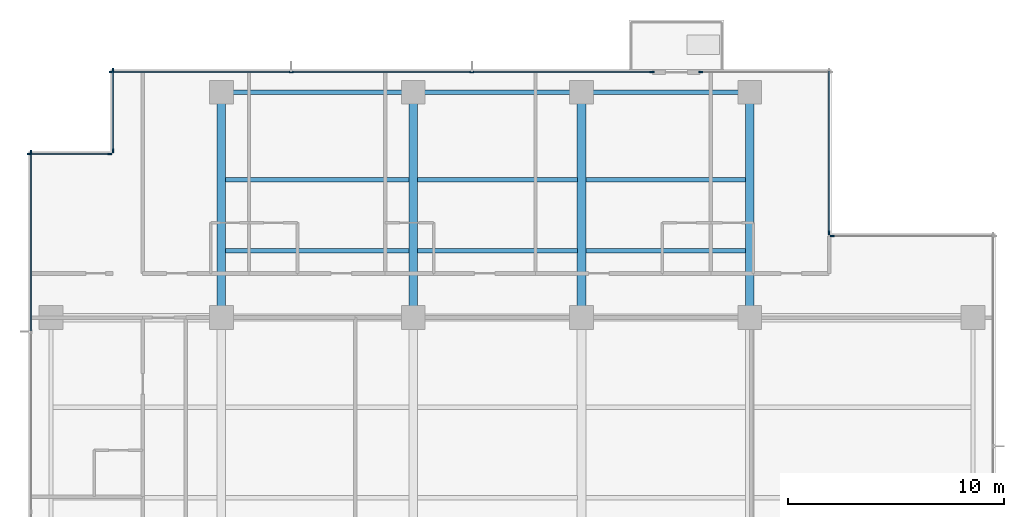
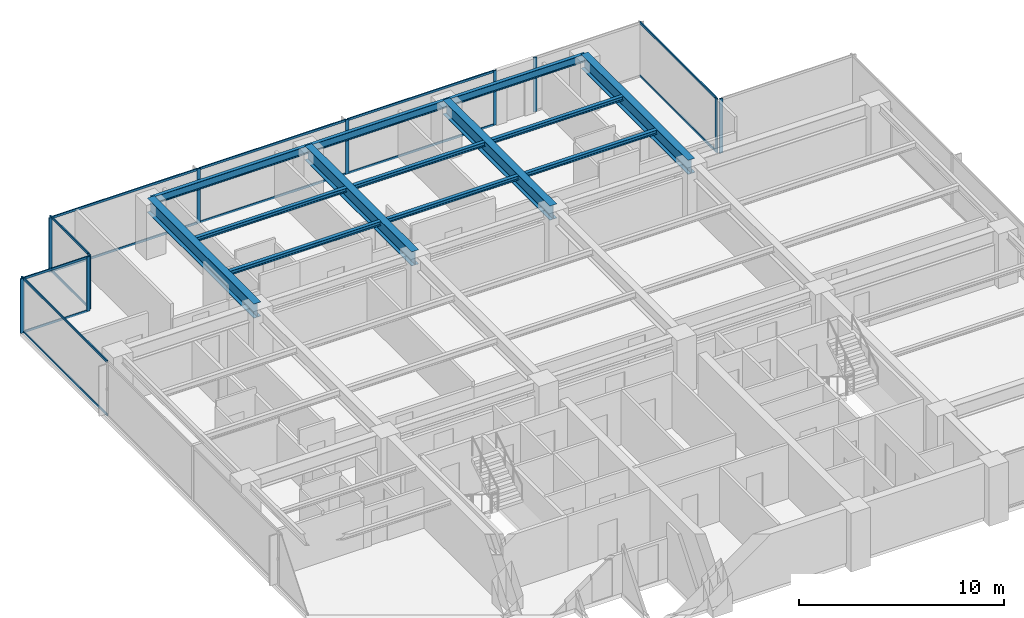
# One storey, part 4 of 15: 26 members, 13 beams, 7 elements without a shape of their own.
"""IFC4 building model written with IfcOpenShell, lengths in metres."""

from ifc_helpers import new_model, si_unit, direction, frame, origin, origin_2d, place, context, subcontext, project, spatial, rectangle, i_section, extrude, material, layer, layer_set, material_profile, profile_set, type_object, element, aggregate, save


model = new_model("IFC4")

# Units and contexts
model_context = context("Model", 3, precision=1e-05, world=origin(), true_north=direction((0.0, 1.0)))
body_context = subcontext(model_context, "Body", "Model", "MODEL_VIEW")
ifc_project = project(units=[si_unit("LENGTHUNIT", "METRE"), si_unit("AREAUNIT", "SQUARE_METRE"), si_unit("VOLUMEUNIT", "CUBIC_METRE"), si_unit("PLANEANGLEUNIT", "RADIAN"), si_unit("MASSUNIT", "GRAM", prefix="KILO")], contexts=[model_context])

# Site, building, storey
site_placement = place(None, origin())
site = spatial("IfcSite", under=ifc_project, at=site_placement, CompositionType="ELEMENT")
building_placement = place(site_placement, origin())
building = spatial("IfcBuilding", under=site, at=building_placement, Name="Qalmaran Belvedere Hotel", CompositionType="ELEMENT")
storey_placement = place(building_placement, frame((0.0, 0.0, 173.60009765625)))
storey = spatial("IfcBuildingStorey", under=building, at=storey_placement, Name="L44", CompositionType="ELEMENT", Elevation=173.60009765625)

# Beams
ifc_material_1 = material(Name="Steel S355JR", Category="steel")
ifc_material_profile_1 = material_profile(ifc_material_1, i_section(OverallWidth=0.201904296875, OverallDepth=0.2470703125, WebThickness=0.00732421875, FlangeThickness=0.010986328125, FilletRadius=0.011962890625, at=origin_2d()), Name="W250X49")
ifc_profile_set_1 = profile_set([ifc_material_profile_1], Name="Steel S355JR")
beam_type_1 = type_object("IfcBeamType", Name="BM-JST-W250X49", PredefinedType="JOIST", material=ifc_profile_set_1)
beam_1_placement = place(storey_placement, frame((20.498046875, 36.10009765625, 3.12646484375), z_axis=(1.0, 0.0, 0.0), x_axis=(0.0, 1.0, 0.0)))
element("IfcBeam", 1, at=beam_1_placement, inside=storey, type_object=beam_type_1, Name="L44 North Floor Joist 042", PredefinedType="JOIST", context=body_context, shape_type="SweptSolid", body=[
    extrude(i_section(OverallWidth=0.201904296875, OverallDepth=0.2470703125, WebThickness=0.00732421875, FlangeThickness=0.010986328125, FilletRadius=0.011962890625, at=origin_2d()), origin(), (0.0, 0.0, 1.0), 8.50390625),
])
for number, where, z_axis, x_axis, name in (
    (2, (29.39794921875, 36.10009765625, 3.12646484375), (1.0, 0.0, 0.0), (0.0, 1.0, 0.0), "L44 North Floor Joist 043"),
    (3, (37.197998046875, 36.10009765625, 3.12646484375), (1.0, 0.0, 0.0), (0.0, 1.0, 0.0), "L44 North Floor Joist 044"),
):
    element("IfcBeam", number, at=place(storey_placement, frame(where, z_axis=z_axis, x_axis=x_axis)), inside=storey, type_object=beam_type_1, Name=name, PredefinedType="JOIST", context=body_context, shape_type="SweptSolid", body=[
        extrude(i_section(OverallWidth=0.201904296875, OverallDepth=0.2470703125, WebThickness=0.00732421875, FlangeThickness=0.010986328125, FilletRadius=0.011962890625, at=origin_2d()), origin(), (0.0, 0.0, 1.0), 7.404052734375),
    ])
beam_2_placement = place(storey_placement, frame((20.498046875, 39.39990234375, 3.12646484375), z_axis=(1.0, 0.0, 0.0), x_axis=(0.0, 1.0, 0.0)))
element("IfcBeam", 4, at=beam_2_placement, inside=storey, type_object=beam_type_1, Name="L44 North Floor Joist 045", PredefinedType="JOIST", context=body_context, shape_type="SweptSolid", body=[
    extrude(i_section(OverallWidth=0.201904296875, OverallDepth=0.2470703125, WebThickness=0.00732421875, FlangeThickness=0.010986328125, FilletRadius=0.011962890625, at=origin_2d()), origin(), (0.0, 0.0, 1.0), 8.50390625),
])
for number, where, z_axis, x_axis, name in (
    (5, (29.39794921875, 39.39990234375, 3.12646484375), (1.0, 0.0, 0.0), (0.0, 1.0, 0.0), "L44 North Floor Joist 046"),
    (6, (37.197998046875, 39.39990234375, 3.12646484375), (1.0, 0.0, 0.0), (0.0, 1.0, 0.0), "L44 North Floor Joist 047"),
):
    element("IfcBeam", number, at=place(storey_placement, frame(where, z_axis=z_axis, x_axis=x_axis)), inside=storey, type_object=beam_type_1, Name=name, PredefinedType="JOIST", context=body_context, shape_type="SweptSolid", body=[
        extrude(i_section(OverallWidth=0.201904296875, OverallDepth=0.2470703125, WebThickness=0.00732421875, FlangeThickness=0.010986328125, FilletRadius=0.011962890625, at=origin_2d()), origin(), (0.0, 0.0, 1.0), 7.404052734375),
    ])
ifc_material_profile_2 = material_profile(ifc_material_1, i_section(OverallWidth=0.39990234375, OverallDepth=0.85498046875, WebThickness=0.018310546875, FlangeThickness=0.029296875, FilletRadius=0.02392578125, at=origin_2d()), Name="W840X299")
ifc_profile_set_2 = profile_set([ifc_material_profile_2], Name="Steel S355JR")
beam_type_2 = type_object("IfcBeamType", Name="BM-PG3-W840X299", PredefinedType="USERDEFINED", material=ifc_profile_set_2)
for number, where, z_axis, x_axis, name in (
    (7, (20.300048828125, 33.0, 2.822509765625), (0.0, 1.0, 0.0), (-1.0, 0.0, 0.0), "L44 North Bay Girder 15"),
    (8, (29.199951171875, 33.0, 2.822509765625), (0.0, 1.0, 0.0), (-1.0, 0.0, 0.0), "L44 North Bay Girder 17"),
    (9, (37.0, 33.0, 2.822509765625), (0.0, 1.0, 0.0), (-1.0, 0.0, 0.0), "L44 North Bay Girder 19"),
    (10, (44.800048828125, 33.0, 2.822509765625), (0.0, 1.0, 0.0), (-1.0, 0.0, 0.0), "L44 North Bay Girder 21"),
):
    element("IfcBeam", number, at=place(storey_placement, frame(where, z_axis=z_axis, x_axis=x_axis)), inside=storey, type_object=beam_type_2, Name=name, ObjectType="GIRDER", PredefinedType="USERDEFINED", context=body_context, shape_type="SweptSolid", body=[
        extrude(i_section(OverallWidth=0.39990234375, OverallDepth=0.85498046875, WebThickness=0.018310546875, FlangeThickness=0.029296875, FilletRadius=0.02392578125, at=origin_2d()), origin(), (0.0, 0.0, 1.0), 10.449951171875),
    ])
ifc_material_profile_3 = material_profile(ifc_material_1, i_section(OverallWidth=0.19189453125, OverallDepth=0.462890625, WebThickness=0.010498046875, FlangeThickness=0.017578125, FilletRadius=0.01611328125, at=origin_2d()), Name="W460X89")
ifc_profile_set_3 = profile_set([ifc_material_profile_3], Name="Steel S355JR")
beam_type_3 = type_object("IfcBeamType", Name="BM-SP2-W460X89", PredefinedType="SPANDREL", material=ifc_profile_set_3)
beam_3_placement = place(storey_placement, frame((20.300048828125, 43.449951171875, 3.018310546875), z_axis=(1.0, 0.0, 0.0), x_axis=(0.0, 1.0, 0.0)))
element("IfcBeam", 11, at=beam_3_placement, inside=storey, type_object=beam_type_3, Name="L44 Perimeter Spandrel 05", PredefinedType="SPANDREL", context=body_context, shape_type="SweptSolid", body=[
    extrude(i_section(OverallWidth=0.19189453125, OverallDepth=0.462890625, WebThickness=0.010498046875, FlangeThickness=0.017578125, FilletRadius=0.01611328125, at=origin_2d()), origin(), (0.0, 0.0, 1.0), 8.89990234375),
])
for number, where, z_axis, x_axis, name in (
    (12, (29.199951171875, 43.449951171875, 3.018310546875), (1.0, 0.0, 0.0), (0.0, 1.0, 0.0), "L44 Perimeter Spandrel 06"),
    (13, (37.0, 43.449951171875, 3.018310546875), (1.0, 0.0, 0.0), (0.0, 1.0, 0.0), "L44 Perimeter Spandrel 07"),
):
    element("IfcBeam", number, at=place(storey_placement, frame(where, z_axis=z_axis, x_axis=x_axis)), inside=storey, type_object=beam_type_3, Name=name, PredefinedType="SPANDREL", context=body_context, shape_type="SweptSolid", body=[
        extrude(i_section(OverallWidth=0.19189453125, OverallDepth=0.462890625, WebThickness=0.010498046875, FlangeThickness=0.017578125, FilletRadius=0.01611328125, at=origin_2d()), origin(), (0.0, 0.0, 1.0), 7.800048828125),
    ])

# Curtain wall, member
ifc_material_2 = material(Name="Anodised Bronze Aluminium", Category="aluminium")
ifc_layer = layer(ifc_material_2, 0.195068359375, Name="Anodised Bronze Aluminium")
ifc_layer_set = layer_set([ifc_layer], Name="Anodised Bronze Aluminium")
curtain_wall_type = type_object("IfcCurtainWallType", Name="CW4-TOWER-HIGHMID", PredefinedType="NOTDEFINED", material=ifc_layer_set)
curtain_wall_1_placement = place(storey_placement, origin())
curtain_wall_1 = element("IfcCurtainWall", 14, at=curtain_wall_1_placement, inside=storey, type_object=curtain_wall_type, Name="L44 Curtain Wall CW4", PredefinedType="NOTDEFINED")
ifc_material_profile_4 = material_profile(ifc_material_2, rectangle(XDim=0.070068359375, YDim=0.18994140625, at=origin_2d()), Name="CWM70X190")
ifc_profile_set_4 = profile_set([ifc_material_profile_4], Name="Anodised Bronze Aluminium")
member_type_1 = type_object("IfcMemberType", Name="CWM-70X190", PredefinedType="MULLION", material=ifc_profile_set_4)
member_1_placement = place(storey_placement, frame((48.635009765625, 36.780029296875, 0.0), z_axis=(0.0, 0.0, 1.0), x_axis=(0.0, -1.0, 0.0)))
member_1 = element("IfcMember", 15, at=member_1_placement, type_object=member_type_1, Name="CW4 mullion 2", PredefinedType="MULLION", context=body_context, shape_type="SweptSolid", body=[
    extrude(rectangle(XDim=0.070068359375, YDim=0.18994140625, at=origin_2d()), origin(), (0.0, 0.0, 1.0), 3.25),
])
aggregate(curtain_wall_1, [member_1])

curtain_wall_2_placement = place(storey_placement, origin())
curtain_wall_2 = element("IfcCurtainWall", 16, at=curtain_wall_2_placement, inside=storey, type_object=curtain_wall_type, Name="L44 Curtain Wall CW4", PredefinedType="NOTDEFINED")
member_2_placement = place(storey_placement, frame((48.47998046875, 36.93505859375, 0.0), z_axis=(0.0, 0.0, 1.0), x_axis=(-1.0, 0.0, 0.0)))
member_2 = element("IfcMember", 17, at=member_2_placement, type_object=member_type_1, Name="CW4 mullion 1", PredefinedType="MULLION", context=body_context, shape_type="SweptSolid", body=[
    extrude(rectangle(XDim=0.070068359375, YDim=0.18994140625, at=origin_2d()), origin(), (0.0, 0.0, 1.0), 3.25),
])

# Curtain wall, members
curtain_wall_3_placement = place(storey_placement, origin())
curtain_wall_3 = element("IfcCurtainWall", 18, at=curtain_wall_3_placement, inside=storey, type_object=curtain_wall_type, Name="L44 Curtain Wall CW4", PredefinedType="NOTDEFINED")
member_3_placement = place(storey_placement, frame((40.264892578125, 44.3798828125, 0.0), z_axis=(0.0, 0.0, 1.0), x_axis=(0.0, -1.0, 0.0)))
member_3 = element("IfcMember", 19, at=member_3_placement, type_object=member_type_1, Name="CW4 mullion 1", PredefinedType="MULLION", context=body_context, shape_type="SweptSolid", body=[
    extrude(rectangle(XDim=0.070068359375, YDim=0.18994140625, at=origin_2d()), origin(), (0.0, 0.0, 1.0), 3.25),
])
member_4_placement = place(storey_placement, frame((31.916748046875, 44.3798828125, 0.0), z_axis=(0.0, 0.0, 1.0), x_axis=(0.0, -1.0, 0.0)))
member_4 = element("IfcMember", 20, at=member_4_placement, type_object=member_type_1, Name="CW4 mullion 2", PredefinedType="MULLION", context=body_context, shape_type="SweptSolid", body=[
    extrude(rectangle(XDim=0.070068359375, YDim=0.18994140625, at=origin_2d()), origin(), (0.0, 0.0, 1.0), 3.25),
])
member_5_placement = place(storey_placement, frame((23.533447265625, 44.3798828125, 0.0), z_axis=(0.0, 0.0, 1.0), x_axis=(0.0, -1.0, 0.0)))
member_5 = element("IfcMember", 21, at=member_5_placement, type_object=member_type_1, Name="CW4 mullion 3", PredefinedType="MULLION", context=body_context, shape_type="SweptSolid", body=[
    extrude(rectangle(XDim=0.070068359375, YDim=0.18994140625, at=origin_2d()), origin(), (0.0, 0.0, 1.0), 3.25),
])
member_6_placement = place(storey_placement, frame((15.18505859375, 44.3798828125, 0.0), z_axis=(0.0, 0.0, 1.0), x_axis=(0.0, -1.0, 0.0)))
member_6 = element("IfcMember", 22, at=member_6_placement, type_object=member_type_1, Name="CW4 mullion 4", PredefinedType="MULLION", context=body_context, shape_type="SweptSolid", body=[
    extrude(rectangle(XDim=0.070068359375, YDim=0.18994140625, at=origin_2d()), origin(), (0.0, 0.0, 1.0), 3.25),
])

# Curtain wall, member
curtain_wall_4_placement = place(storey_placement, origin())
curtain_wall_4 = element("IfcCurtainWall", 23, at=curtain_wall_4_placement, inside=storey, type_object=curtain_wall_type, Name="L44 Curtain Wall CW4", PredefinedType="NOTDEFINED")
member_7_placement = place(storey_placement, frame((42.534912109375, 44.3798828125, 0.0), z_axis=(0.0, 0.0, 1.0), x_axis=(0.0, -1.0, 0.0)))
member_7 = element("IfcMember", 24, at=member_7_placement, type_object=member_type_1, Name="CW4 mullion 2", PredefinedType="MULLION", context=body_context, shape_type="SweptSolid", body=[
    extrude(rectangle(XDim=0.070068359375, YDim=0.18994140625, at=origin_2d()), origin(), (0.0, 0.0, 1.0), 3.25),
])
aggregate(curtain_wall_4, [member_7])

# Curtain wall, members
curtain_wall_5_placement = place(storey_placement, origin())
curtain_wall_5 = element("IfcCurtainWall", 25, at=curtain_wall_5_placement, inside=storey, type_object=curtain_wall_type, Name="L44 Curtain Wall CW4", PredefinedType="NOTDEFINED")
member_8_placement = place(storey_placement, frame((15.27001953125, 44.465087890625, 0.0), z_axis=(0.0, 0.0, 1.0), x_axis=(1.0, 0.0, 0.0)))
member_8 = element("IfcMember", 26, at=member_8_placement, type_object=member_type_1, Name="CW4 mullion 1", PredefinedType="MULLION", context=body_context, shape_type="SweptSolid", body=[
    extrude(rectangle(XDim=0.070068359375, YDim=0.18994140625, at=origin_2d()), origin(), (0.0, 0.0, 1.0), 3.25),
])
member_9_placement = place(storey_placement, frame((15.27001953125, 40.735107421875, 0.0), z_axis=(0.0, 0.0, 1.0), x_axis=(1.0, 0.0, 0.0)))
member_9 = element("IfcMember", 27, at=member_9_placement, type_object=member_type_1, Name="CW4 mullion 2", PredefinedType="MULLION", context=body_context, shape_type="SweptSolid", body=[
    extrude(rectangle(XDim=0.070068359375, YDim=0.18994140625, at=origin_2d()), origin(), (0.0, 0.0, 1.0), 3.25),
])

curtain_wall_6_placement = place(storey_placement, origin())
curtain_wall_6 = element("IfcCurtainWall", 28, at=curtain_wall_6_placement, inside=storey, type_object=curtain_wall_type, Name="L44 Curtain Wall CW4", PredefinedType="NOTDEFINED")
member_10_placement = place(storey_placement, frame((15.114990234375, 40.580078125, 0.0), z_axis=(0.0, 0.0, 1.0), x_axis=(0.0, -1.0, 0.0)))
member_10 = element("IfcMember", 29, at=member_10_placement, type_object=member_type_1, Name="CW4 mullion 1", PredefinedType="MULLION", context=body_context, shape_type="SweptSolid", body=[
    extrude(rectangle(XDim=0.070068359375, YDim=0.18994140625, at=origin_2d()), origin(), (0.0, 0.0, 1.0), 3.25),
])
member_11_placement = place(storey_placement, frame((11.385009765625, 40.580078125, 0.0), z_axis=(0.0, 0.0, 1.0), x_axis=(0.0, -1.0, 0.0)))
member_11 = element("IfcMember", 30, at=member_11_placement, type_object=member_type_1, Name="CW4 mullion 2", PredefinedType="MULLION", context=body_context, shape_type="SweptSolid", body=[
    extrude(rectangle(XDim=0.070068359375, YDim=0.18994140625, at=origin_2d()), origin(), (0.0, 0.0, 1.0), 3.25),
])

# Curtain wall, member
curtain_wall_7_placement = place(storey_placement, origin())
curtain_wall_7 = element("IfcCurtainWall", 31, at=curtain_wall_7_placement, inside=storey, type_object=curtain_wall_type, Name="L44 Curtain Wall CW4", PredefinedType="NOTDEFINED")
member_12_placement = place(storey_placement, frame((11.469970703125, 40.6650390625, 0.0), z_axis=(0.0, 0.0, 1.0), x_axis=(1.0, 0.0, 0.0)))
member_12 = element("IfcMember", 32, at=member_12_placement, type_object=member_type_1, Name="CW4 mullion 1", PredefinedType="MULLION", context=body_context, shape_type="SweptSolid", body=[
    extrude(rectangle(XDim=0.070068359375, YDim=0.18994140625, at=origin_2d()), origin(), (0.0, 0.0, 1.0), 3.25),
])

# Member
ifc_material_profile_5 = material_profile(ifc_material_2, rectangle(XDim=0.06494140625, YDim=0.1298828125, at=origin_2d()), Name="CWT65X130")
ifc_profile_set_5 = profile_set([ifc_material_profile_5], Name="Anodised Bronze Aluminium")
member_type_2 = type_object("IfcMemberType", Name="CWT-65X130", PredefinedType="USERDEFINED", material=ifc_profile_set_5)
member_13_placement = place(storey_placement, frame((48.47998046875, 36.969970703125, 0.032470703125), z_axis=(0.0, 1.0, 0.0), x_axis=(-1.0, 0.0, 0.0)))
member_13 = element("IfcMember", 33, at=member_13_placement, type_object=member_type_2, Name="CW4 transom 1.1", ObjectType="TRANSOM", PredefinedType="USERDEFINED", context=body_context, shape_type="SweptSolid", body=[
    extrude(rectangle(XDim=0.06494140625, YDim=0.1298828125, at=origin_2d()), origin(), (0.0, 0.0, 1.0), 7.4599609375),
])

member_14_placement = place(storey_placement, frame((48.47998046875, 36.969970703125, 3.21728515625), z_axis=(0.0, 1.0, 0.0), x_axis=(-1.0, 0.0, 0.0)))
member_14 = element("IfcMember", 34, at=member_14_placement, type_object=member_type_2, Name="CW4 transom 1.2", ObjectType="TRANSOM", PredefinedType="USERDEFINED", context=body_context, shape_type="SweptSolid", body=[
    extrude(rectangle(XDim=0.06494140625, YDim=0.1298828125, at=origin_2d()), origin(), (0.0, 0.0, 1.0), 7.4599609375),
])

aggregate(curtain_wall_2, [member_2, member_13, member_14])

member_15_placement = place(storey_placement, frame((40.22998046875, 44.3798828125, 0.032470703125), z_axis=(-1.0, 0.0, 0.0), x_axis=(0.0, -1.0, 0.0)))
member_15 = element("IfcMember", 35, at=member_15_placement, type_object=member_type_2, Name="CW4 transom 1.1", ObjectType="TRANSOM", PredefinedType="USERDEFINED", context=body_context, shape_type="SweptSolid", body=[
    extrude(rectangle(XDim=0.06494140625, YDim=0.1298828125, at=origin_2d()), origin(), (0.0, 0.0, 1.0), 8.2783203125),
])

member_16_placement = place(storey_placement, frame((40.22998046875, 44.3798828125, 3.21728515625), z_axis=(-1.0, 0.0, 0.0), x_axis=(0.0, -1.0, 0.0)))
member_16 = element("IfcMember", 36, at=member_16_placement, type_object=member_type_2, Name="CW4 transom 1.2", ObjectType="TRANSOM", PredefinedType="USERDEFINED", context=body_context, shape_type="SweptSolid", body=[
    extrude(rectangle(XDim=0.06494140625, YDim=0.1298828125, at=origin_2d()), origin(), (0.0, 0.0, 1.0), 8.2783203125),
])

member_17_placement = place(storey_placement, frame((31.881591796875, 44.3798828125, 0.032470703125), z_axis=(-1.0, 0.0, 0.0), x_axis=(0.0, -1.0, 0.0)))
member_17 = element("IfcMember", 37, at=member_17_placement, type_object=member_type_2, Name="CW4 transom 2.1", ObjectType="TRANSOM", PredefinedType="USERDEFINED", context=body_context, shape_type="SweptSolid", body=[
    extrude(rectangle(XDim=0.06494140625, YDim=0.1298828125, at=origin_2d()), origin(), (0.0, 0.0, 1.0), 8.313232421875),
])

member_18_placement = place(storey_placement, frame((31.881591796875, 44.3798828125, 3.21728515625), z_axis=(-1.0, 0.0, 0.0), x_axis=(0.0, -1.0, 0.0)))
member_18 = element("IfcMember", 38, at=member_18_placement, type_object=member_type_2, Name="CW4 transom 2.2", ObjectType="TRANSOM", PredefinedType="USERDEFINED", context=body_context, shape_type="SweptSolid", body=[
    extrude(rectangle(XDim=0.06494140625, YDim=0.1298828125, at=origin_2d()), origin(), (0.0, 0.0, 1.0), 8.313232421875),
])

member_19_placement = place(storey_placement, frame((23.498291015625, 44.3798828125, 0.032470703125), z_axis=(-1.0, 0.0, 0.0), x_axis=(0.0, -1.0, 0.0)))
member_19 = element("IfcMember", 39, at=member_19_placement, type_object=member_type_2, Name="CW4 transom 3.1", ObjectType="TRANSOM", PredefinedType="USERDEFINED", context=body_context, shape_type="SweptSolid", body=[
    extrude(rectangle(XDim=0.06494140625, YDim=0.1298828125, at=origin_2d()), origin(), (0.0, 0.0, 1.0), 8.2783203125),
])

member_20_placement = place(storey_placement, frame((23.498291015625, 44.3798828125, 3.21728515625), z_axis=(-1.0, 0.0, 0.0), x_axis=(0.0, -1.0, 0.0)))
member_20 = element("IfcMember", 40, at=member_20_placement, type_object=member_type_2, Name="CW4 transom 3.2", ObjectType="TRANSOM", PredefinedType="USERDEFINED", context=body_context, shape_type="SweptSolid", body=[
    extrude(rectangle(XDim=0.06494140625, YDim=0.1298828125, at=origin_2d()), origin(), (0.0, 0.0, 1.0), 8.2783203125),
])

aggregate(curtain_wall_3, [member_3, member_4, member_5, member_6, member_15, member_16, member_17, member_18, member_19, member_20])

member_21_placement = place(storey_placement, frame((15.27001953125, 44.429931640625, 0.032470703125), z_axis=(0.0, -1.0, 0.0), x_axis=(1.0, 0.0, 0.0)))
member_21 = element("IfcMember", 41, at=member_21_placement, type_object=member_type_2, Name="CW4 transom 1.1", ObjectType="TRANSOM", PredefinedType="USERDEFINED", context=body_context, shape_type="SweptSolid", body=[
    extrude(rectangle(XDim=0.06494140625, YDim=0.1298828125, at=origin_2d()), origin(), (0.0, 0.0, 1.0), 3.659912109375),
])

member_22_placement = place(storey_placement, frame((15.27001953125, 44.429931640625, 3.21728515625), z_axis=(0.0, -1.0, 0.0), x_axis=(1.0, 0.0, 0.0)))
member_22 = element("IfcMember", 42, at=member_22_placement, type_object=member_type_2, Name="CW4 transom 1.2", ObjectType="TRANSOM", PredefinedType="USERDEFINED", context=body_context, shape_type="SweptSolid", body=[
    extrude(rectangle(XDim=0.06494140625, YDim=0.1298828125, at=origin_2d()), origin(), (0.0, 0.0, 1.0), 3.659912109375),
])

aggregate(curtain_wall_5, [member_8, member_9, member_21, member_22])

member_23_placement = place(storey_placement, frame((15.080078125, 40.580078125, 0.032470703125), z_axis=(-1.0, 0.0, 0.0), x_axis=(0.0, -1.0, 0.0)))
member_23 = element("IfcMember", 43, at=member_23_placement, type_object=member_type_2, Name="CW4 transom 1.1", ObjectType="TRANSOM", PredefinedType="USERDEFINED", context=body_context, shape_type="SweptSolid", body=[
    extrude(rectangle(XDim=0.06494140625, YDim=0.1298828125, at=origin_2d()), origin(), (0.0, 0.0, 1.0), 3.66015625),
])

member_24_placement = place(storey_placement, frame((15.080078125, 40.580078125, 3.21728515625), z_axis=(-1.0, 0.0, 0.0), x_axis=(0.0, -1.0, 0.0)))
member_24 = element("IfcMember", 44, at=member_24_placement, type_object=member_type_2, Name="CW4 transom 1.2", ObjectType="TRANSOM", PredefinedType="USERDEFINED", context=body_context, shape_type="SweptSolid", body=[
    extrude(rectangle(XDim=0.06494140625, YDim=0.1298828125, at=origin_2d()), origin(), (0.0, 0.0, 1.0), 3.66015625),
])

aggregate(curtain_wall_6, [member_10, member_11, member_23, member_24])

member_25_placement = place(storey_placement, frame((11.469970703125, 40.6298828125, 0.032470703125), z_axis=(0.0, -1.0, 0.0), x_axis=(1.0, 0.0, 0.0)))
member_25 = element("IfcMember", 45, at=member_25_placement, type_object=member_type_2, Name="CW4 transom 1.1", ObjectType="TRANSOM", PredefinedType="USERDEFINED", context=body_context, shape_type="SweptSolid", body=[
    extrude(rectangle(XDim=0.06494140625, YDim=0.1298828125, at=origin_2d()), origin(), (0.0, 0.0, 1.0), 8.244873046875),
])

member_26_placement = place(storey_placement, frame((11.469970703125, 40.6298828125, 3.21728515625), z_axis=(0.0, -1.0, 0.0), x_axis=(1.0, 0.0, 0.0)))
member_26 = element("IfcMember", 46, at=member_26_placement, type_object=member_type_2, Name="CW4 transom 1.2", ObjectType="TRANSOM", PredefinedType="USERDEFINED", context=body_context, shape_type="SweptSolid", body=[
    extrude(rectangle(XDim=0.06494140625, YDim=0.1298828125, at=origin_2d()), origin(), (0.0, 0.0, 1.0), 8.244873046875),
])

aggregate(curtain_wall_7, [member_12, member_25, member_26])

save(model, "model.ifc")
